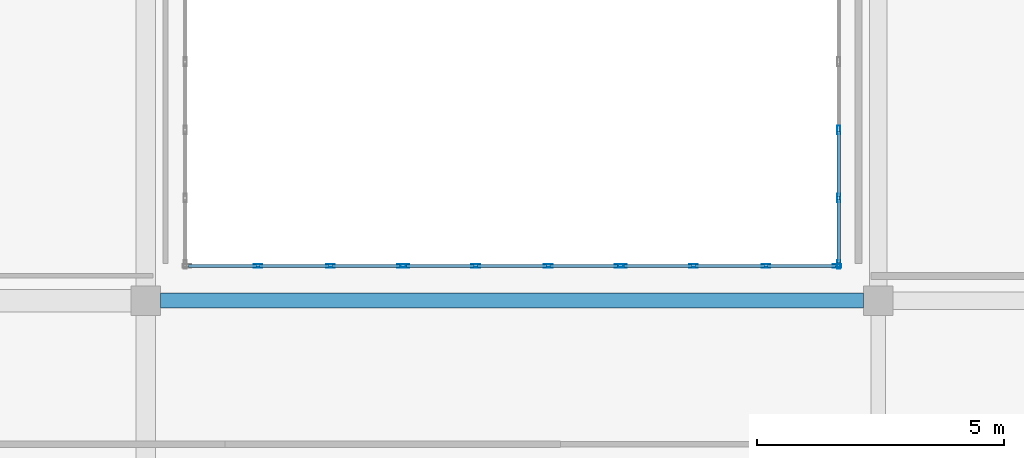
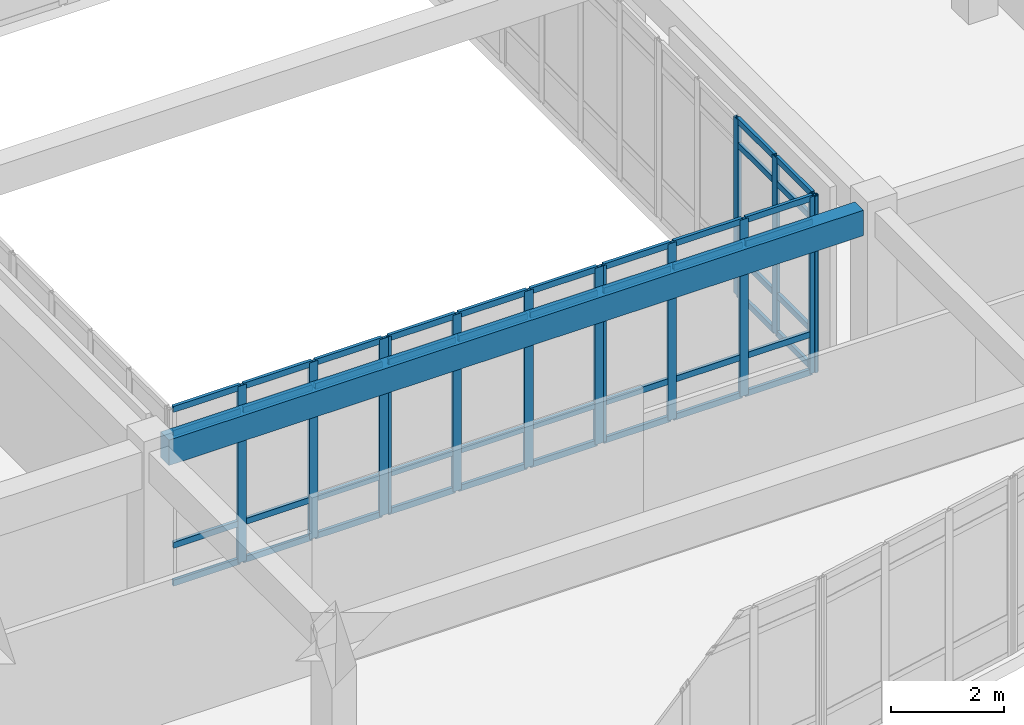
# One storey, part 96 of 146: 58 members, 1 beam, 4 elements without a shape of their own.
"""IFC4 building model written with IfcOpenShell, lengths in metres."""

from ifc_helpers import new_model, si_unit, direction, frame, origin, origin_2d, place, context, subcontext, project, spatial, rectangle, hollow_rectangle, extrude, material, layer, layer_set, material_profile, profile_set, type_object, element, aggregate, save


model = new_model("IFC4")

# Units and contexts
model_context = context("Model", 3, precision=1e-05, world=origin(), true_north=direction((0.0, 1.0)))
body_context = subcontext(model_context, "Body", "Model", "MODEL_VIEW")
ifc_project = project(units=[si_unit("LENGTHUNIT", "METRE"), si_unit("AREAUNIT", "SQUARE_METRE"), si_unit("VOLUMEUNIT", "CUBIC_METRE"), si_unit("PLANEANGLEUNIT", "RADIAN"), si_unit("MASSUNIT", "GRAM", prefix="KILO")], contexts=[model_context])

# Site, building, storey
site_placement = place(None, origin())
site = spatial("IfcSite", under=ifc_project, at=site_placement, CompositionType="ELEMENT")
building_placement = place(site_placement, origin())
building = spatial("IfcBuilding", under=site, at=building_placement, Name="Valcora Specialist Clinic", CompositionType="ELEMENT")
storey_placement = place(building_placement, frame((0.0, 0.0, 9.52001953125)))
storey = spatial("IfcBuildingStorey", under=building, at=storey_placement, Name="L02", CompositionType="ELEMENT", Elevation=9.52001953125)

# Beam
ifc_material_1 = material(Name="Concrete C40/50", Category="concrete")
ifc_material_profile_1 = material_profile(ifc_material_1, rectangle(XDim=0.300048828125, YDim=0.550048828125, at=origin_2d()), Name="RC-BM-300X550")
ifc_profile_set_1 = profile_set([ifc_material_profile_1], Name="Concrete C40/50")
beam_type = type_object("IfcBeamType", Name="TY-BM-RC300X550", PredefinedType="BEAM", material=ifc_profile_set_1)
beam_placement = place(storey_placement, frame((111.5, 81.300048828125, 3.544921875), z_axis=(1.0, 0.0, 0.0), x_axis=(0.0, 1.0, 0.0)))
element("IfcBeam", 1, at=beam_placement, inside=storey, type_object=beam_type, Name="Beam BM-L02-0709", PredefinedType="BEAM", context=body_context, shape_type="SweptSolid", body=[
    extrude(rectangle(XDim=0.300048828125, YDim=0.550048828125, at=origin_2d()), origin(), (0.0, 0.0, 1.0), 14.199951171875),
])

# Curtain wall, members
ifc_material_2 = material(Name="Anodized Bronze Aluminium 6063-T6", Category="aluminium")
ifc_layer = layer(ifc_material_2, 0.175048828125)
ifc_layer_set = layer_set([ifc_layer], Name="Anodized Bronze Aluminium 6063-T6")
curtain_wall_type = type_object("IfcCurtainWallType", Name="TY-CW-CRT15", PredefinedType="NOTDEFINED", material=ifc_layer_set)
curtain_wall_1_placement = place(storey_placement, origin())
curtain_wall_1 = element("IfcCurtainWall", 2, at=curtain_wall_1_placement, inside=storey, type_object=curtain_wall_type, Name="Curtain wall CW-L02-105", PredefinedType="NOTDEFINED")
ifc_material_profile_2 = material_profile(ifc_material_2, hollow_rectangle(XDim=0.06494140625, YDim=0.175048828125, WallThickness=0.00390625, at=origin_2d()), Name="AL-MUL-65X175")
ifc_profile_set_2 = profile_set([ifc_material_profile_2], Name="Anodized Bronze Aluminium 6063-T6")
member_type_1 = type_object("IfcMemberType", Name="TY-CWM-65X175", PredefinedType="MULLION", material=ifc_profile_set_2)
member_1_placement = place(storey_placement, frame((113.466552734375, 82.0, 0.0), z_axis=(0.0, 0.0, 1.0), x_axis=(0.0, 1.0, 0.0)))
member_1 = element("IfcMember", 3, at=member_1_placement, type_object=member_type_1, Name="CW-CRT-15 mullion 2", PredefinedType="MULLION", context=body_context, shape_type="SweptSolid", body=[
    extrude(hollow_rectangle(XDim=0.06494140625, YDim=0.175048828125, WallThickness=0.00390625, at=origin_2d()), origin(), (0.0, 0.0, 1.0), 3.820068359375),
])
member_2_placement = place(storey_placement, frame((114.933349609375, 82.0, 0.0), z_axis=(0.0, 0.0, 1.0), x_axis=(0.0, 1.0, 0.0)))
member_2 = element("IfcMember", 4, at=member_2_placement, type_object=member_type_1, Name="CW-CRT-15 mullion 3", PredefinedType="MULLION", context=body_context, shape_type="SweptSolid", body=[
    extrude(hollow_rectangle(XDim=0.06494140625, YDim=0.175048828125, WallThickness=0.00390625, at=origin_2d()), origin(), (0.0, 0.0, 1.0), 3.820068359375),
])
member_3_placement = place(storey_placement, frame((116.367431640625, 82.0, 0.0), z_axis=(0.0, 0.0, 1.0), x_axis=(0.0, 1.0, 0.0)))
member_3 = element("IfcMember", 5, at=member_3_placement, type_object=member_type_1, Name="CW-CRT-15 mullion 4", PredefinedType="MULLION", context=body_context, shape_type="SweptSolid", body=[
    extrude(hollow_rectangle(XDim=0.06494140625, YDim=0.175048828125, WallThickness=0.00390625, at=origin_2d()), origin(), (0.0, 0.0, 1.0), 3.820068359375),
])

curtain_wall_2_placement = place(storey_placement, origin())
curtain_wall_2 = element("IfcCurtainWall", 6, at=curtain_wall_2_placement, inside=storey, type_object=curtain_wall_type, Name="Curtain wall CW-L02-106", PredefinedType="NOTDEFINED")
member_4_placement = place(storey_placement, frame((116.4326171875, 82.0, 0.0), z_axis=(0.0, 0.0, 1.0), x_axis=(0.0, 1.0, 0.0)))
member_4 = element("IfcMember", 7, at=member_4_placement, type_object=member_type_1, Name="CW-CRT-15 mullion 1", PredefinedType="MULLION", context=body_context, shape_type="SweptSolid", body=[
    extrude(hollow_rectangle(XDim=0.06494140625, YDim=0.175048828125, WallThickness=0.00390625, at=origin_2d()), origin(), (0.0, 0.0, 1.0), 3.820068359375),
])
member_5_placement = place(storey_placement, frame((117.86669921875, 82.0, 0.0), z_axis=(0.0, 0.0, 1.0), x_axis=(0.0, 1.0, 0.0)))
member_5 = element("IfcMember", 8, at=member_5_placement, type_object=member_type_1, Name="CW-CRT-15 mullion 2", PredefinedType="MULLION", context=body_context, shape_type="SweptSolid", body=[
    extrude(hollow_rectangle(XDim=0.06494140625, YDim=0.175048828125, WallThickness=0.00390625, at=origin_2d()), origin(), (0.0, 0.0, 1.0), 3.820068359375),
])
member_6_placement = place(storey_placement, frame((119.333251953125, 82.0, 0.0), z_axis=(0.0, 0.0, 1.0), x_axis=(0.0, 1.0, 0.0)))
member_6 = element("IfcMember", 9, at=member_6_placement, type_object=member_type_1, Name="CW-CRT-15 mullion 3", PredefinedType="MULLION", context=body_context, shape_type="SweptSolid", body=[
    extrude(hollow_rectangle(XDim=0.06494140625, YDim=0.175048828125, WallThickness=0.00390625, at=origin_2d()), origin(), (0.0, 0.0, 1.0), 3.820068359375),
])
member_7_placement = place(storey_placement, frame((120.767578125, 82.0, 0.0), z_axis=(0.0, 0.0, 1.0), x_axis=(0.0, 1.0, 0.0)))
member_7 = element("IfcMember", 10, at=member_7_placement, type_object=member_type_1, Name="CW-CRT-15 mullion 4", PredefinedType="MULLION", context=body_context, shape_type="SweptSolid", body=[
    extrude(hollow_rectangle(XDim=0.06494140625, YDim=0.175048828125, WallThickness=0.00390625, at=origin_2d()), origin(), (0.0, 0.0, 1.0), 3.820068359375),
])

curtain_wall_3_placement = place(storey_placement, origin())
curtain_wall_3 = element("IfcCurtainWall", 11, at=curtain_wall_3_placement, inside=storey, type_object=curtain_wall_type, Name="Curtain wall CW-L02-107", PredefinedType="NOTDEFINED")
member_8_placement = place(storey_placement, frame((120.83251953125, 82.0, 0.0), z_axis=(0.0, 0.0, 1.0), x_axis=(0.0, 1.0, 0.0)))
member_8 = element("IfcMember", 12, at=member_8_placement, type_object=member_type_1, Name="CW-CRT-15 mullion 1", PredefinedType="MULLION", context=body_context, shape_type="SweptSolid", body=[
    extrude(hollow_rectangle(XDim=0.06494140625, YDim=0.175048828125, WallThickness=0.00390625, at=origin_2d()), origin(), (0.0, 0.0, 1.0), 3.820068359375),
])
member_9_placement = place(storey_placement, frame((122.2666015625, 82.0, 0.0), z_axis=(0.0, 0.0, 1.0), x_axis=(0.0, 1.0, 0.0)))
member_9 = element("IfcMember", 13, at=member_9_placement, type_object=member_type_1, Name="CW-CRT-15 mullion 2", PredefinedType="MULLION", context=body_context, shape_type="SweptSolid", body=[
    extrude(hollow_rectangle(XDim=0.06494140625, YDim=0.175048828125, WallThickness=0.00390625, at=origin_2d()), origin(), (0.0, 0.0, 1.0), 3.820068359375),
])
member_10_placement = place(storey_placement, frame((123.7333984375, 82.0, 0.0), z_axis=(0.0, 0.0, 1.0), x_axis=(0.0, 1.0, 0.0)))
member_10 = element("IfcMember", 14, at=member_10_placement, type_object=member_type_1, Name="CW-CRT-15 mullion 3", PredefinedType="MULLION", context=body_context, shape_type="SweptSolid", body=[
    extrude(hollow_rectangle(XDim=0.06494140625, YDim=0.175048828125, WallThickness=0.00390625, at=origin_2d()), origin(), (0.0, 0.0, 1.0), 3.820068359375),
])
member_11_placement = place(storey_placement, frame((125.16748046875, 82.0, 0.0), z_axis=(0.0, 0.0, 1.0), x_axis=(0.0, 1.0, 0.0)))
member_11 = element("IfcMember", 15, at=member_11_placement, type_object=member_type_1, Name="CW-CRT-15 mullion 4", PredefinedType="MULLION", context=body_context, shape_type="SweptSolid", body=[
    extrude(hollow_rectangle(XDim=0.06494140625, YDim=0.175048828125, WallThickness=0.00390625, at=origin_2d()), origin(), (0.0, 0.0, 1.0), 3.820068359375),
])

curtain_wall_4_placement = place(storey_placement, origin())
curtain_wall_4 = element("IfcCurtainWall", 16, at=curtain_wall_4_placement, inside=storey, type_object=curtain_wall_type, Name="Curtain wall CW-L02-108", PredefinedType="NOTDEFINED")
member_12_placement = place(storey_placement, frame((125.199951171875, 82.032470703125, 0.0), z_axis=(0.0, 0.0, 1.0), x_axis=(-1.0, 0.0, 0.0)))
member_12 = element("IfcMember", 17, at=member_12_placement, type_object=member_type_1, Name="CW-CRT-15 mullion 1", PredefinedType="MULLION", context=body_context, shape_type="SweptSolid", body=[
    extrude(hollow_rectangle(XDim=0.06494140625, YDim=0.175048828125, WallThickness=0.00390625, at=origin_2d()), origin(), (0.0, 0.0, 1.0), 3.820068359375),
])
member_13_placement = place(storey_placement, frame((125.199951171875, 83.375, 0.0), z_axis=(0.0, 0.0, 1.0), x_axis=(-1.0, 0.0, 0.0)))
member_13 = element("IfcMember", 18, at=member_13_placement, type_object=member_type_1, Name="CW-CRT-15 mullion 2", PredefinedType="MULLION", context=body_context, shape_type="SweptSolid", body=[
    extrude(hollow_rectangle(XDim=0.06494140625, YDim=0.175048828125, WallThickness=0.00390625, at=origin_2d()), origin(), (0.0, 0.0, 1.0), 3.820068359375),
])
member_14_placement = place(storey_placement, frame((125.199951171875, 84.75, 0.0), z_axis=(0.0, 0.0, 1.0), x_axis=(-1.0, 0.0, 0.0)))
member_14 = element("IfcMember", 19, at=member_14_placement, type_object=member_type_1, Name="CW-CRT-15 mullion 3", PredefinedType="MULLION", context=body_context, shape_type="SweptSolid", body=[
    extrude(hollow_rectangle(XDim=0.06494140625, YDim=0.175048828125, WallThickness=0.00390625, at=origin_2d()), origin(), (0.0, 0.0, 1.0), 3.820068359375),
])

# Member
ifc_material_profile_3 = material_profile(ifc_material_2, hollow_rectangle(XDim=0.06494140625, YDim=0.1298828125, WallThickness=0.00390625, at=origin_2d()), Name="AL-TRN-65X130")
ifc_profile_set_3 = profile_set([ifc_material_profile_3], Name="Anodized Bronze Aluminium 6063-T6")
member_type_2 = type_object("IfcMemberType", Name="TY-CWT-65X130", PredefinedType="USERDEFINED", material=ifc_profile_set_3)
member_15_placement = place(storey_placement, frame((112.06494140625, 82.0, 0.032470703125), z_axis=(1.0, 0.0, 0.0), x_axis=(0.0, 1.0, 0.0)))
member_15 = element("IfcMember", 20, at=member_15_placement, type_object=member_type_2, Name="CW-CRT-15 transom 1.1", ObjectType="TRANSOM", PredefinedType="USERDEFINED", context=body_context, shape_type="SweptSolid", body=[
    extrude(hollow_rectangle(XDim=0.06494140625, YDim=0.1298828125, WallThickness=0.00390625, at=origin_2d()), origin(), (0.0, 0.0, 1.0), 1.369140625),
])

member_16_placement = place(storey_placement, frame((112.06494140625, 82.0, 0.85009765625), z_axis=(1.0, 0.0, 0.0), x_axis=(0.0, 1.0, 0.0)))
member_16 = element("IfcMember", 21, at=member_16_placement, type_object=member_type_2, Name="CW-CRT-15 transom 1.2", ObjectType="TRANSOM", PredefinedType="USERDEFINED", context=body_context, shape_type="SweptSolid", body=[
    extrude(hollow_rectangle(XDim=0.06494140625, YDim=0.1298828125, WallThickness=0.00390625, at=origin_2d()), origin(), (0.0, 0.0, 1.0), 1.369140625),
])

member_17_placement = place(storey_placement, frame((112.06494140625, 82.0, 3.27001953125), z_axis=(1.0, 0.0, 0.0), x_axis=(0.0, 1.0, 0.0)))
member_17 = element("IfcMember", 22, at=member_17_placement, type_object=member_type_2, Name="CW-CRT-15 transom 1.3", ObjectType="TRANSOM", PredefinedType="USERDEFINED", context=body_context, shape_type="SweptSolid", body=[
    extrude(hollow_rectangle(XDim=0.06494140625, YDim=0.1298828125, WallThickness=0.00390625, at=origin_2d()), origin(), (0.0, 0.0, 1.0), 1.369140625),
])

member_18_placement = place(storey_placement, frame((112.06494140625, 82.0, 3.78759765625), z_axis=(1.0, 0.0, 0.0), x_axis=(0.0, 1.0, 0.0)))
member_18 = element("IfcMember", 23, at=member_18_placement, type_object=member_type_2, Name="CW-CRT-15 transom 1.4", ObjectType="TRANSOM", PredefinedType="USERDEFINED", context=body_context, shape_type="SweptSolid", body=[
    extrude(hollow_rectangle(XDim=0.06494140625, YDim=0.1298828125, WallThickness=0.00390625, at=origin_2d()), origin(), (0.0, 0.0, 1.0), 1.369140625),
])

member_19_placement = place(storey_placement, frame((113.499267578125, 82.0, 0.032470703125), z_axis=(1.0, 0.0, 0.0), x_axis=(0.0, 1.0, 0.0)))
member_19 = element("IfcMember", 24, at=member_19_placement, type_object=member_type_2, Name="CW-CRT-15 transom 2.1", ObjectType="TRANSOM", PredefinedType="USERDEFINED", context=body_context, shape_type="SweptSolid", body=[
    extrude(hollow_rectangle(XDim=0.06494140625, YDim=0.1298828125, WallThickness=0.00390625, at=origin_2d()), origin(), (0.0, 0.0, 1.0), 1.401611328125),
])

member_20_placement = place(storey_placement, frame((113.499267578125, 82.0, 0.85009765625), z_axis=(1.0, 0.0, 0.0), x_axis=(0.0, 1.0, 0.0)))
member_20 = element("IfcMember", 25, at=member_20_placement, type_object=member_type_2, Name="CW-CRT-15 transom 2.2", ObjectType="TRANSOM", PredefinedType="USERDEFINED", context=body_context, shape_type="SweptSolid", body=[
    extrude(hollow_rectangle(XDim=0.06494140625, YDim=0.1298828125, WallThickness=0.00390625, at=origin_2d()), origin(), (0.0, 0.0, 1.0), 1.401611328125),
])

member_21_placement = place(storey_placement, frame((113.499267578125, 82.0, 3.27001953125), z_axis=(1.0, 0.0, 0.0), x_axis=(0.0, 1.0, 0.0)))
member_21 = element("IfcMember", 26, at=member_21_placement, type_object=member_type_2, Name="CW-CRT-15 transom 2.3", ObjectType="TRANSOM", PredefinedType="USERDEFINED", context=body_context, shape_type="SweptSolid", body=[
    extrude(hollow_rectangle(XDim=0.06494140625, YDim=0.1298828125, WallThickness=0.00390625, at=origin_2d()), origin(), (0.0, 0.0, 1.0), 1.401611328125),
])

member_22_placement = place(storey_placement, frame((113.499267578125, 82.0, 3.78759765625), z_axis=(1.0, 0.0, 0.0), x_axis=(0.0, 1.0, 0.0)))
member_22 = element("IfcMember", 27, at=member_22_placement, type_object=member_type_2, Name="CW-CRT-15 transom 2.4", ObjectType="TRANSOM", PredefinedType="USERDEFINED", context=body_context, shape_type="SweptSolid", body=[
    extrude(hollow_rectangle(XDim=0.06494140625, YDim=0.1298828125, WallThickness=0.00390625, at=origin_2d()), origin(), (0.0, 0.0, 1.0), 1.401611328125),
])

member_23_placement = place(storey_placement, frame((114.9658203125, 82.0, 0.032470703125), z_axis=(1.0, 0.0, 0.0), x_axis=(0.0, 1.0, 0.0)))
member_23 = element("IfcMember", 28, at=member_23_placement, type_object=member_type_2, Name="CW-CRT-15 transom 3.1", ObjectType="TRANSOM", PredefinedType="USERDEFINED", context=body_context, shape_type="SweptSolid", body=[
    extrude(hollow_rectangle(XDim=0.06494140625, YDim=0.1298828125, WallThickness=0.00390625, at=origin_2d()), origin(), (0.0, 0.0, 1.0), 1.369140625),
])

member_24_placement = place(storey_placement, frame((114.9658203125, 82.0, 0.85009765625), z_axis=(1.0, 0.0, 0.0), x_axis=(0.0, 1.0, 0.0)))
member_24 = element("IfcMember", 29, at=member_24_placement, type_object=member_type_2, Name="CW-CRT-15 transom 3.2", ObjectType="TRANSOM", PredefinedType="USERDEFINED", context=body_context, shape_type="SweptSolid", body=[
    extrude(hollow_rectangle(XDim=0.06494140625, YDim=0.1298828125, WallThickness=0.00390625, at=origin_2d()), origin(), (0.0, 0.0, 1.0), 1.369140625),
])

member_25_placement = place(storey_placement, frame((114.9658203125, 82.0, 3.27001953125), z_axis=(1.0, 0.0, 0.0), x_axis=(0.0, 1.0, 0.0)))
member_25 = element("IfcMember", 30, at=member_25_placement, type_object=member_type_2, Name="CW-CRT-15 transom 3.3", ObjectType="TRANSOM", PredefinedType="USERDEFINED", context=body_context, shape_type="SweptSolid", body=[
    extrude(hollow_rectangle(XDim=0.06494140625, YDim=0.1298828125, WallThickness=0.00390625, at=origin_2d()), origin(), (0.0, 0.0, 1.0), 1.369140625),
])

member_26_placement = place(storey_placement, frame((114.9658203125, 82.0, 3.78759765625), z_axis=(1.0, 0.0, 0.0), x_axis=(0.0, 1.0, 0.0)))
member_26 = element("IfcMember", 31, at=member_26_placement, type_object=member_type_2, Name="CW-CRT-15 transom 3.4", ObjectType="TRANSOM", PredefinedType="USERDEFINED", context=body_context, shape_type="SweptSolid", body=[
    extrude(hollow_rectangle(XDim=0.06494140625, YDim=0.1298828125, WallThickness=0.00390625, at=origin_2d()), origin(), (0.0, 0.0, 1.0), 1.369140625),
])

aggregate(curtain_wall_1, [member_1, member_2, member_3, member_15, member_16, member_17, member_18, member_19, member_20, member_21, member_22, member_23, member_24, member_25, member_26])

member_27_placement = place(storey_placement, frame((116.465087890625, 82.0, 0.032470703125), z_axis=(1.0, 0.0, 0.0), x_axis=(0.0, 1.0, 0.0)))
member_27 = element("IfcMember", 32, at=member_27_placement, type_object=member_type_2, Name="CW-CRT-15 transom 1.1", ObjectType="TRANSOM", PredefinedType="USERDEFINED", context=body_context, shape_type="SweptSolid", body=[
    extrude(hollow_rectangle(XDim=0.06494140625, YDim=0.1298828125, WallThickness=0.00390625, at=origin_2d()), origin(), (0.0, 0.0, 1.0), 1.369140625),
])

member_28_placement = place(storey_placement, frame((116.465087890625, 82.0, 0.85009765625), z_axis=(1.0, 0.0, 0.0), x_axis=(0.0, 1.0, 0.0)))
member_28 = element("IfcMember", 33, at=member_28_placement, type_object=member_type_2, Name="CW-CRT-15 transom 1.2", ObjectType="TRANSOM", PredefinedType="USERDEFINED", context=body_context, shape_type="SweptSolid", body=[
    extrude(hollow_rectangle(XDim=0.06494140625, YDim=0.1298828125, WallThickness=0.00390625, at=origin_2d()), origin(), (0.0, 0.0, 1.0), 1.369140625),
])

member_29_placement = place(storey_placement, frame((116.465087890625, 82.0, 3.27001953125), z_axis=(1.0, 0.0, 0.0), x_axis=(0.0, 1.0, 0.0)))
member_29 = element("IfcMember", 34, at=member_29_placement, type_object=member_type_2, Name="CW-CRT-15 transom 1.3", ObjectType="TRANSOM", PredefinedType="USERDEFINED", context=body_context, shape_type="SweptSolid", body=[
    extrude(hollow_rectangle(XDim=0.06494140625, YDim=0.1298828125, WallThickness=0.00390625, at=origin_2d()), origin(), (0.0, 0.0, 1.0), 1.369140625),
])

member_30_placement = place(storey_placement, frame((116.465087890625, 82.0, 3.78759765625), z_axis=(1.0, 0.0, 0.0), x_axis=(0.0, 1.0, 0.0)))
member_30 = element("IfcMember", 35, at=member_30_placement, type_object=member_type_2, Name="CW-CRT-15 transom 1.4", ObjectType="TRANSOM", PredefinedType="USERDEFINED", context=body_context, shape_type="SweptSolid", body=[
    extrude(hollow_rectangle(XDim=0.06494140625, YDim=0.1298828125, WallThickness=0.00390625, at=origin_2d()), origin(), (0.0, 0.0, 1.0), 1.369140625),
])

member_31_placement = place(storey_placement, frame((117.899169921875, 82.0, 0.032470703125), z_axis=(1.0, 0.0, 0.0), x_axis=(0.0, 1.0, 0.0)))
member_31 = element("IfcMember", 36, at=member_31_placement, type_object=member_type_2, Name="CW-CRT-15 transom 2.1", ObjectType="TRANSOM", PredefinedType="USERDEFINED", context=body_context, shape_type="SweptSolid", body=[
    extrude(hollow_rectangle(XDim=0.06494140625, YDim=0.1298828125, WallThickness=0.00390625, at=origin_2d()), origin(), (0.0, 0.0, 1.0), 1.401611328125),
])

member_32_placement = place(storey_placement, frame((117.899169921875, 82.0, 0.85009765625), z_axis=(1.0, 0.0, 0.0), x_axis=(0.0, 1.0, 0.0)))
member_32 = element("IfcMember", 37, at=member_32_placement, type_object=member_type_2, Name="CW-CRT-15 transom 2.2", ObjectType="TRANSOM", PredefinedType="USERDEFINED", context=body_context, shape_type="SweptSolid", body=[
    extrude(hollow_rectangle(XDim=0.06494140625, YDim=0.1298828125, WallThickness=0.00390625, at=origin_2d()), origin(), (0.0, 0.0, 1.0), 1.401611328125),
])

member_33_placement = place(storey_placement, frame((117.899169921875, 82.0, 3.27001953125), z_axis=(1.0, 0.0, 0.0), x_axis=(0.0, 1.0, 0.0)))
member_33 = element("IfcMember", 38, at=member_33_placement, type_object=member_type_2, Name="CW-CRT-15 transom 2.3", ObjectType="TRANSOM", PredefinedType="USERDEFINED", context=body_context, shape_type="SweptSolid", body=[
    extrude(hollow_rectangle(XDim=0.06494140625, YDim=0.1298828125, WallThickness=0.00390625, at=origin_2d()), origin(), (0.0, 0.0, 1.0), 1.401611328125),
])

member_34_placement = place(storey_placement, frame((117.899169921875, 82.0, 3.78759765625), z_axis=(1.0, 0.0, 0.0), x_axis=(0.0, 1.0, 0.0)))
member_34 = element("IfcMember", 39, at=member_34_placement, type_object=member_type_2, Name="CW-CRT-15 transom 2.4", ObjectType="TRANSOM", PredefinedType="USERDEFINED", context=body_context, shape_type="SweptSolid", body=[
    extrude(hollow_rectangle(XDim=0.06494140625, YDim=0.1298828125, WallThickness=0.00390625, at=origin_2d()), origin(), (0.0, 0.0, 1.0), 1.401611328125),
])

member_35_placement = place(storey_placement, frame((119.36572265625, 82.0, 0.032470703125), z_axis=(1.0, 0.0, 0.0), x_axis=(0.0, 1.0, 0.0)))
member_35 = element("IfcMember", 40, at=member_35_placement, type_object=member_type_2, Name="CW-CRT-15 transom 3.1", ObjectType="TRANSOM", PredefinedType="USERDEFINED", context=body_context, shape_type="SweptSolid", body=[
    extrude(hollow_rectangle(XDim=0.06494140625, YDim=0.1298828125, WallThickness=0.00390625, at=origin_2d()), origin(), (0.0, 0.0, 1.0), 1.369384765625),
])

member_36_placement = place(storey_placement, frame((119.36572265625, 82.0, 0.85009765625), z_axis=(1.0, 0.0, 0.0), x_axis=(0.0, 1.0, 0.0)))
member_36 = element("IfcMember", 41, at=member_36_placement, type_object=member_type_2, Name="CW-CRT-15 transom 3.2", ObjectType="TRANSOM", PredefinedType="USERDEFINED", context=body_context, shape_type="SweptSolid", body=[
    extrude(hollow_rectangle(XDim=0.06494140625, YDim=0.1298828125, WallThickness=0.00390625, at=origin_2d()), origin(), (0.0, 0.0, 1.0), 1.369384765625),
])

member_37_placement = place(storey_placement, frame((119.36572265625, 82.0, 3.27001953125), z_axis=(1.0, 0.0, 0.0), x_axis=(0.0, 1.0, 0.0)))
member_37 = element("IfcMember", 42, at=member_37_placement, type_object=member_type_2, Name="CW-CRT-15 transom 3.3", ObjectType="TRANSOM", PredefinedType="USERDEFINED", context=body_context, shape_type="SweptSolid", body=[
    extrude(hollow_rectangle(XDim=0.06494140625, YDim=0.1298828125, WallThickness=0.00390625, at=origin_2d()), origin(), (0.0, 0.0, 1.0), 1.369384765625),
])

member_38_placement = place(storey_placement, frame((119.36572265625, 82.0, 3.78759765625), z_axis=(1.0, 0.0, 0.0), x_axis=(0.0, 1.0, 0.0)))
member_38 = element("IfcMember", 43, at=member_38_placement, type_object=member_type_2, Name="CW-CRT-15 transom 3.4", ObjectType="TRANSOM", PredefinedType="USERDEFINED", context=body_context, shape_type="SweptSolid", body=[
    extrude(hollow_rectangle(XDim=0.06494140625, YDim=0.1298828125, WallThickness=0.00390625, at=origin_2d()), origin(), (0.0, 0.0, 1.0), 1.369384765625),
])

aggregate(curtain_wall_2, [member_4, member_5, member_6, member_7, member_27, member_28, member_29, member_30, member_31, member_32, member_33, member_34, member_35, member_36, member_37, member_38])

member_39_placement = place(storey_placement, frame((120.864990234375, 82.0, 0.032470703125), z_axis=(1.0, 0.0, 0.0), x_axis=(0.0, 1.0, 0.0)))
member_39 = element("IfcMember", 44, at=member_39_placement, type_object=member_type_2, Name="CW-CRT-15 transom 1.1", ObjectType="TRANSOM", PredefinedType="USERDEFINED", context=body_context, shape_type="SweptSolid", body=[
    extrude(hollow_rectangle(XDim=0.06494140625, YDim=0.1298828125, WallThickness=0.00390625, at=origin_2d()), origin(), (0.0, 0.0, 1.0), 1.369140625),
])

member_40_placement = place(storey_placement, frame((120.864990234375, 82.0, 0.85009765625), z_axis=(1.0, 0.0, 0.0), x_axis=(0.0, 1.0, 0.0)))
member_40 = element("IfcMember", 45, at=member_40_placement, type_object=member_type_2, Name="CW-CRT-15 transom 1.2", ObjectType="TRANSOM", PredefinedType="USERDEFINED", context=body_context, shape_type="SweptSolid", body=[
    extrude(hollow_rectangle(XDim=0.06494140625, YDim=0.1298828125, WallThickness=0.00390625, at=origin_2d()), origin(), (0.0, 0.0, 1.0), 1.369140625),
])

member_41_placement = place(storey_placement, frame((120.864990234375, 82.0, 3.27001953125), z_axis=(1.0, 0.0, 0.0), x_axis=(0.0, 1.0, 0.0)))
member_41 = element("IfcMember", 46, at=member_41_placement, type_object=member_type_2, Name="CW-CRT-15 transom 1.3", ObjectType="TRANSOM", PredefinedType="USERDEFINED", context=body_context, shape_type="SweptSolid", body=[
    extrude(hollow_rectangle(XDim=0.06494140625, YDim=0.1298828125, WallThickness=0.00390625, at=origin_2d()), origin(), (0.0, 0.0, 1.0), 1.369140625),
])

member_42_placement = place(storey_placement, frame((120.864990234375, 82.0, 3.78759765625), z_axis=(1.0, 0.0, 0.0), x_axis=(0.0, 1.0, 0.0)))
member_42 = element("IfcMember", 47, at=member_42_placement, type_object=member_type_2, Name="CW-CRT-15 transom 1.4", ObjectType="TRANSOM", PredefinedType="USERDEFINED", context=body_context, shape_type="SweptSolid", body=[
    extrude(hollow_rectangle(XDim=0.06494140625, YDim=0.1298828125, WallThickness=0.00390625, at=origin_2d()), origin(), (0.0, 0.0, 1.0), 1.369140625),
])

member_43_placement = place(storey_placement, frame((122.299072265625, 82.0, 0.032470703125), z_axis=(1.0, 0.0, 0.0), x_axis=(0.0, 1.0, 0.0)))
member_43 = element("IfcMember", 48, at=member_43_placement, type_object=member_type_2, Name="CW-CRT-15 transom 2.1", ObjectType="TRANSOM", PredefinedType="USERDEFINED", context=body_context, shape_type="SweptSolid", body=[
    extrude(hollow_rectangle(XDim=0.06494140625, YDim=0.1298828125, WallThickness=0.00390625, at=origin_2d()), origin(), (0.0, 0.0, 1.0), 1.40185546875),
])

member_44_placement = place(storey_placement, frame((122.299072265625, 82.0, 0.85009765625), z_axis=(1.0, 0.0, 0.0), x_axis=(0.0, 1.0, 0.0)))
member_44 = element("IfcMember", 49, at=member_44_placement, type_object=member_type_2, Name="CW-CRT-15 transom 2.2", ObjectType="TRANSOM", PredefinedType="USERDEFINED", context=body_context, shape_type="SweptSolid", body=[
    extrude(hollow_rectangle(XDim=0.06494140625, YDim=0.1298828125, WallThickness=0.00390625, at=origin_2d()), origin(), (0.0, 0.0, 1.0), 1.40185546875),
])

member_45_placement = place(storey_placement, frame((122.299072265625, 82.0, 3.27001953125), z_axis=(1.0, 0.0, 0.0), x_axis=(0.0, 1.0, 0.0)))
member_45 = element("IfcMember", 50, at=member_45_placement, type_object=member_type_2, Name="CW-CRT-15 transom 2.3", ObjectType="TRANSOM", PredefinedType="USERDEFINED", context=body_context, shape_type="SweptSolid", body=[
    extrude(hollow_rectangle(XDim=0.06494140625, YDim=0.1298828125, WallThickness=0.00390625, at=origin_2d()), origin(), (0.0, 0.0, 1.0), 1.40185546875),
])

member_46_placement = place(storey_placement, frame((122.299072265625, 82.0, 3.78759765625), z_axis=(1.0, 0.0, 0.0), x_axis=(0.0, 1.0, 0.0)))
member_46 = element("IfcMember", 51, at=member_46_placement, type_object=member_type_2, Name="CW-CRT-15 transom 2.4", ObjectType="TRANSOM", PredefinedType="USERDEFINED", context=body_context, shape_type="SweptSolid", body=[
    extrude(hollow_rectangle(XDim=0.06494140625, YDim=0.1298828125, WallThickness=0.00390625, at=origin_2d()), origin(), (0.0, 0.0, 1.0), 1.40185546875),
])

member_47_placement = place(storey_placement, frame((123.765869140625, 82.0, 0.032470703125), z_axis=(1.0, 0.0, 0.0), x_axis=(0.0, 1.0, 0.0)))
member_47 = element("IfcMember", 52, at=member_47_placement, type_object=member_type_2, Name="CW-CRT-15 transom 3.1", ObjectType="TRANSOM", PredefinedType="USERDEFINED", context=body_context, shape_type="SweptSolid", body=[
    extrude(hollow_rectangle(XDim=0.06494140625, YDim=0.1298828125, WallThickness=0.00390625, at=origin_2d()), origin(), (0.0, 0.0, 1.0), 1.369140625),
])

member_48_placement = place(storey_placement, frame((123.765869140625, 82.0, 0.85009765625), z_axis=(1.0, 0.0, 0.0), x_axis=(0.0, 1.0, 0.0)))
member_48 = element("IfcMember", 53, at=member_48_placement, type_object=member_type_2, Name="CW-CRT-15 transom 3.2", ObjectType="TRANSOM", PredefinedType="USERDEFINED", context=body_context, shape_type="SweptSolid", body=[
    extrude(hollow_rectangle(XDim=0.06494140625, YDim=0.1298828125, WallThickness=0.00390625, at=origin_2d()), origin(), (0.0, 0.0, 1.0), 1.369140625),
])

member_49_placement = place(storey_placement, frame((123.765869140625, 82.0, 3.27001953125), z_axis=(1.0, 0.0, 0.0), x_axis=(0.0, 1.0, 0.0)))
member_49 = element("IfcMember", 54, at=member_49_placement, type_object=member_type_2, Name="CW-CRT-15 transom 3.3", ObjectType="TRANSOM", PredefinedType="USERDEFINED", context=body_context, shape_type="SweptSolid", body=[
    extrude(hollow_rectangle(XDim=0.06494140625, YDim=0.1298828125, WallThickness=0.00390625, at=origin_2d()), origin(), (0.0, 0.0, 1.0), 1.369140625),
])

member_50_placement = place(storey_placement, frame((123.765869140625, 82.0, 3.78759765625), z_axis=(1.0, 0.0, 0.0), x_axis=(0.0, 1.0, 0.0)))
member_50 = element("IfcMember", 55, at=member_50_placement, type_object=member_type_2, Name="CW-CRT-15 transom 3.4", ObjectType="TRANSOM", PredefinedType="USERDEFINED", context=body_context, shape_type="SweptSolid", body=[
    extrude(hollow_rectangle(XDim=0.06494140625, YDim=0.1298828125, WallThickness=0.00390625, at=origin_2d()), origin(), (0.0, 0.0, 1.0), 1.369140625),
])

aggregate(curtain_wall_3, [member_8, member_9, member_10, member_11, member_39, member_40, member_41, member_42, member_43, member_44, member_45, member_46, member_47, member_48, member_49, member_50])

member_51_placement = place(storey_placement, frame((125.199951171875, 82.06494140625, 0.032470703125), z_axis=(0.0, 1.0, 0.0), x_axis=(-1.0, 0.0, 0.0)))
member_51 = element("IfcMember", 56, at=member_51_placement, type_object=member_type_2, Name="CW-CRT-15 transom 1.1", ObjectType="TRANSOM", PredefinedType="USERDEFINED", context=body_context, shape_type="SweptSolid", body=[
    extrude(hollow_rectangle(XDim=0.06494140625, YDim=0.1298828125, WallThickness=0.00390625, at=origin_2d()), origin(), (0.0, 0.0, 1.0), 1.277587890625),
])

member_52_placement = place(storey_placement, frame((125.199951171875, 82.06494140625, 0.85009765625), z_axis=(0.0, 1.0, 0.0), x_axis=(-1.0, 0.0, 0.0)))
member_52 = element("IfcMember", 57, at=member_52_placement, type_object=member_type_2, Name="CW-CRT-15 transom 1.2", ObjectType="TRANSOM", PredefinedType="USERDEFINED", context=body_context, shape_type="SweptSolid", body=[
    extrude(hollow_rectangle(XDim=0.06494140625, YDim=0.1298828125, WallThickness=0.00390625, at=origin_2d()), origin(), (0.0, 0.0, 1.0), 1.277587890625),
])

member_53_placement = place(storey_placement, frame((125.199951171875, 82.06494140625, 3.27001953125), z_axis=(0.0, 1.0, 0.0), x_axis=(-1.0, 0.0, 0.0)))
member_53 = element("IfcMember", 58, at=member_53_placement, type_object=member_type_2, Name="CW-CRT-15 transom 1.3", ObjectType="TRANSOM", PredefinedType="USERDEFINED", context=body_context, shape_type="SweptSolid", body=[
    extrude(hollow_rectangle(XDim=0.06494140625, YDim=0.1298828125, WallThickness=0.00390625, at=origin_2d()), origin(), (0.0, 0.0, 1.0), 1.277587890625),
])

member_54_placement = place(storey_placement, frame((125.199951171875, 82.06494140625, 3.78759765625), z_axis=(0.0, 1.0, 0.0), x_axis=(-1.0, 0.0, 0.0)))
member_54 = element("IfcMember", 59, at=member_54_placement, type_object=member_type_2, Name="CW-CRT-15 transom 1.4", ObjectType="TRANSOM", PredefinedType="USERDEFINED", context=body_context, shape_type="SweptSolid", body=[
    extrude(hollow_rectangle(XDim=0.06494140625, YDim=0.1298828125, WallThickness=0.00390625, at=origin_2d()), origin(), (0.0, 0.0, 1.0), 1.277587890625),
])

member_55_placement = place(storey_placement, frame((125.199951171875, 83.407470703125, 0.032470703125), z_axis=(0.0, 1.0, 0.0), x_axis=(-1.0, 0.0, 0.0)))
member_55 = element("IfcMember", 60, at=member_55_placement, type_object=member_type_2, Name="CW-CRT-15 transom 2.1", ObjectType="TRANSOM", PredefinedType="USERDEFINED", context=body_context, shape_type="SweptSolid", body=[
    extrude(hollow_rectangle(XDim=0.06494140625, YDim=0.1298828125, WallThickness=0.00390625, at=origin_2d()), origin(), (0.0, 0.0, 1.0), 1.31005859375),
])

member_56_placement = place(storey_placement, frame((125.199951171875, 83.407470703125, 0.85009765625), z_axis=(0.0, 1.0, 0.0), x_axis=(-1.0, 0.0, 0.0)))
member_56 = element("IfcMember", 61, at=member_56_placement, type_object=member_type_2, Name="CW-CRT-15 transom 2.2", ObjectType="TRANSOM", PredefinedType="USERDEFINED", context=body_context, shape_type="SweptSolid", body=[
    extrude(hollow_rectangle(XDim=0.06494140625, YDim=0.1298828125, WallThickness=0.00390625, at=origin_2d()), origin(), (0.0, 0.0, 1.0), 1.31005859375),
])

member_57_placement = place(storey_placement, frame((125.199951171875, 83.407470703125, 3.27001953125), z_axis=(0.0, 1.0, 0.0), x_axis=(-1.0, 0.0, 0.0)))
member_57 = element("IfcMember", 62, at=member_57_placement, type_object=member_type_2, Name="CW-CRT-15 transom 2.3", ObjectType="TRANSOM", PredefinedType="USERDEFINED", context=body_context, shape_type="SweptSolid", body=[
    extrude(hollow_rectangle(XDim=0.06494140625, YDim=0.1298828125, WallThickness=0.00390625, at=origin_2d()), origin(), (0.0, 0.0, 1.0), 1.31005859375),
])

member_58_placement = place(storey_placement, frame((125.199951171875, 83.407470703125, 3.78759765625), z_axis=(0.0, 1.0, 0.0), x_axis=(-1.0, 0.0, 0.0)))
member_58 = element("IfcMember", 63, at=member_58_placement, type_object=member_type_2, Name="CW-CRT-15 transom 2.4", ObjectType="TRANSOM", PredefinedType="USERDEFINED", context=body_context, shape_type="SweptSolid", body=[
    extrude(hollow_rectangle(XDim=0.06494140625, YDim=0.1298828125, WallThickness=0.00390625, at=origin_2d()), origin(), (0.0, 0.0, 1.0), 1.31005859375),
])

aggregate(curtain_wall_4, [member_12, member_13, member_14, member_51, member_52, member_53, member_54, member_55, member_56, member_57, member_58])

save(model, "model.ifc")
